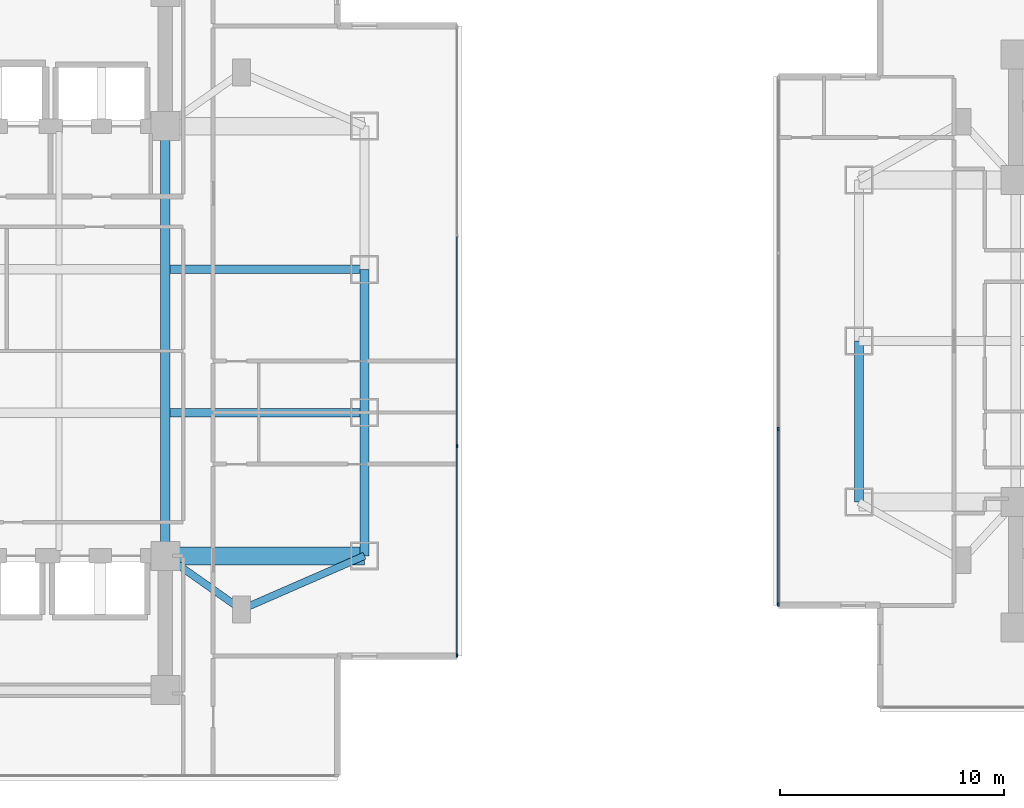
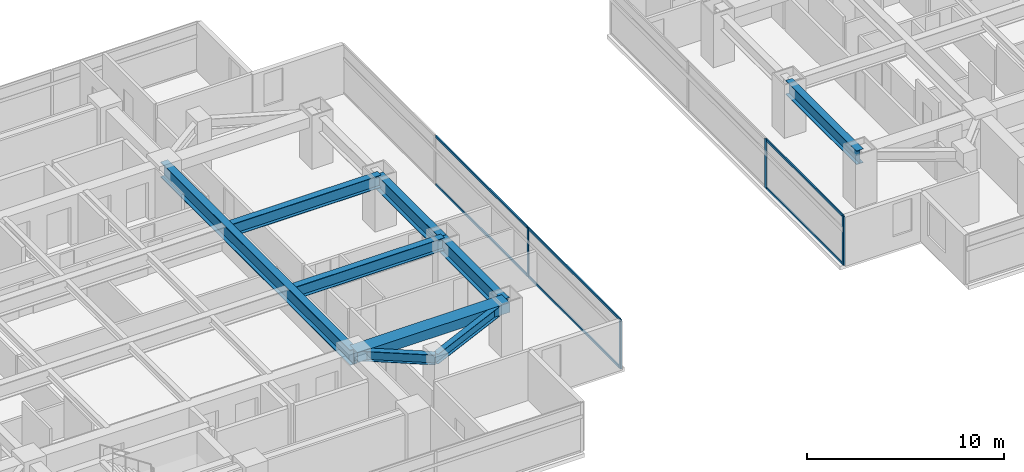
# One storey, part 5 of 27: 10 members, 9 beams, 2 elements without a shape of their own.
"""IFC4 building model written with IfcOpenShell, lengths in metres."""

from ifc_helpers import new_model, si_unit, direction, frame, origin, origin_2d, place, context, subcontext, project, spatial, rectangle, i_section, extrude, material, material_profile, profile_set, type_object, element, aggregate, save


model = new_model("IFC4")

# Units and contexts
model_context = context("Model", 3, precision=1e-05, world=origin(), true_north=direction((0.0, 1.0)))
body_context = subcontext(model_context, "Body", "Model", "MODEL_VIEW")
ifc_project = project(units=[si_unit("LENGTHUNIT", "METRE"), si_unit("AREAUNIT", "SQUARE_METRE"), si_unit("VOLUMEUNIT", "CUBIC_METRE"), si_unit("PLANEANGLEUNIT", "RADIAN"), si_unit("MASSUNIT", "GRAM", prefix="KILO")], contexts=[model_context])

# Site, building, storey
site_placement = place(None, origin())
site = spatial("IfcSite", under=ifc_project, at=site_placement, CompositionType="ELEMENT")
building_placement = place(site_placement, origin())
building = spatial("IfcBuilding", under=site, at=building_placement, Name="Mirazonda Arch Towers", CompositionType="ELEMENT")
storey_placement = place(building_placement, frame((0.0, 0.0, 75.199951171875)))
storey = spatial("IfcBuildingStorey", under=building, at=storey_placement, Name="L21", CompositionType="ELEMENT", Elevation=75.199951171875)

# Beams
ifc_material_1 = material(Name="Steel ASTM A992 Grade 50", Category="steel")
ifc_material_profile_1 = material_profile(ifc_material_1, i_section(OverallWidth=0.39990234375, OverallDepth=0.85595703125, WebThickness=0.018310546875, FlangeThickness=0.029296875, at=origin_2d()), Name="W33X201")
ifc_profile_set_1 = profile_set([ifc_material_profile_1], Name="Steel ASTM A992 Grade 50")
beam_type_1 = type_object("IfcBeamType", Name="BM-EXT-W33X201", PredefinedType="USERDEFINED", material=ifc_profile_set_1)
beam_1_placement = place(storey_placement, frame((61.0, 20.800048828125, 2.632080078125), z_axis=(0.0, 1.0, 0.0), x_axis=(-1.0, 0.0, 0.0)))
element("IfcBeam", 1, at=beam_1_placement, inside=storey, type_object=beam_type_1, Name="L21 Floor Beam BM-T2-L21-NS-W-20", ObjectType="GIRDER", PredefinedType="USERDEFINED", context=body_context, shape_type="SweptSolid", body=[
    extrude(i_section(OverallWidth=0.39990234375, OverallDepth=0.85595703125, WebThickness=0.018310546875, FlangeThickness=0.029296875, at=origin_2d()), origin(), (0.0, 0.0, 1.0), 7.199951171875),
])
ifc_material_profile_2 = material_profile(ifc_material_1, i_section(OverallWidth=0.41796875, OverallDepth=0.927001953125, WebThickness=0.019287109375, FlangeThickness=0.031982421875, at=origin_2d()), Name="W36X231")
ifc_profile_set_2 = profile_set([ifc_material_profile_2], Name="Steel ASTM A992 Grade 50")
beam_type_2 = type_object("IfcBeamType", Name="BM-EXT-W36X231", PredefinedType="USERDEFINED", material=ifc_profile_set_2)
beam_2_placement = place(storey_placement, frame((38.89990234375, 18.39990234375, 2.596435546875), z_axis=(0.0, 1.0, 0.0), x_axis=(-1.0, 0.0, 0.0)))
element("IfcBeam", 2, at=beam_2_placement, inside=storey, type_object=beam_type_2, Name="L21 Floor Beam BM-T1-L21-NS-E-18", ObjectType="GIRDER", PredefinedType="USERDEFINED", context=body_context, shape_type="SweptSolid", body=[
    extrude(i_section(OverallWidth=0.41796875, OverallDepth=0.927001953125, WebThickness=0.019287109375, FlangeThickness=0.031982421875, at=origin_2d()), origin(), (0.0, 0.0, 1.0), 6.400146484375),
])
beam_3_placement = place(storey_placement, frame((38.89990234375, 24.800048828125, 2.596435546875), z_axis=(0.0, 1.0, 0.0), x_axis=(-1.0, 0.0, 0.0)))
element("IfcBeam", 3, at=beam_3_placement, inside=storey, type_object=beam_type_2, Name="L21 Floor Beam BM-T1-L21-NS-E-24", ObjectType="GIRDER", PredefinedType="USERDEFINED", context=body_context, shape_type="SweptSolid", body=[
    extrude(i_section(OverallWidth=0.41796875, OverallDepth=0.927001953125, WebThickness=0.019287109375, FlangeThickness=0.031982421875, at=origin_2d()), origin(), (0.0, 0.0, 1.0), 6.39990234375),
])
ifc_material_profile_3 = material_profile(ifc_material_1, i_section(OverallWidth=0.324951171875, OverallDepth=0.615966796875, WebThickness=0.013916015625, FlangeThickness=0.021484375, at=origin_2d()), Name="W24X117")
ifc_profile_set_3 = profile_set([ifc_material_profile_3], Name="Steel ASTM A992 Grade 50")
beam_type_3 = type_object("IfcBeamType", Name="BM-INT-W24X117", PredefinedType="BEAM", material=ifc_profile_set_3)
beam_4_placement = place(storey_placement, frame((33.39990234375, 16.0, 2.751953125), z_axis=(-0.816971114901, 0.576678591087, 0.0), x_axis=(-0.576678591087, -0.816971114901, 0.0)))
element("IfcBeam", 4, at=beam_4_placement, inside=storey, type_object=beam_type_3, Name="L21 Floor Beam BM-T1-L21-PL-SE1", PredefinedType="BEAM", context=body_context, shape_type="SweptSolid", body=[
    extrude(i_section(OverallWidth=0.324951171875, OverallDepth=0.615966796875, WebThickness=0.013916015625, FlangeThickness=0.021484375, at=origin_2d()), origin(), (0.0, 0.0, 1.0), 4.16162109375),
])
beam_5_placement = place(storey_placement, frame((33.39990234375, 16.0, 2.751953125), z_axis=(0.916545343703, 0.399930785183, 0.0), x_axis=(-0.399930785183, 0.916545343703, 0.0)))
element("IfcBeam", 5, at=beam_5_placement, inside=storey, type_object=beam_type_3, Name="L21 Floor Beam BM-T1-L21-PL-SE2", PredefinedType="BEAM", context=body_context, shape_type="SweptSolid", body=[
    extrude(i_section(OverallWidth=0.324951171875, OverallDepth=0.615966796875, WebThickness=0.013916015625, FlangeThickness=0.021484375, at=origin_2d()), origin(), (0.0, 0.0, 1.0), 6.000732421875),
])
ifc_material_profile_4 = material_profile(ifc_material_1, i_section(OverallWidth=0.381103515625, OverallDepth=0.77294921875, WebThickness=0.0166015625, FlangeThickness=0.027099609375, at=origin_2d()), Name="W30X173")
ifc_profile_set_4 = profile_set([ifc_material_profile_4], Name="Steel ASTM A992 Grade 50")
beam_type_4 = type_object("IfcBeamType", Name="BM-INT-W30X173", PredefinedType="USERDEFINED", material=ifc_profile_set_4)
for number, where, z_axis, x_axis, name in (
    (6, (30.21142578125, 24.800048828125, 2.673583984375), (1.0, 0.0, 0.0), (0.0, 1.0, 0.0), "L21 Floor Beam BM-T1-L21-GE2"),
    (7, (30.21142578125, 31.199951171875, 2.673583984375), (1.0, 0.0, 0.0), (0.0, 1.0, 0.0), "L21 Floor Beam BM-T1-L21-GE3"),
):
    element("IfcBeam", number, at=place(storey_placement, frame(where, z_axis=z_axis, x_axis=x_axis)), inside=storey, type_object=beam_type_4, Name=name, ObjectType="GIRDER", PredefinedType="USERDEFINED", context=body_context, shape_type="SweptSolid", body=[
        extrude(i_section(OverallWidth=0.381103515625, OverallDepth=0.77294921875, WebThickness=0.0166015625, FlangeThickness=0.027099609375, at=origin_2d()), origin(), (0.0, 0.0, 1.0), 8.6884765625),
    ])
ifc_material_profile_5 = material_profile(ifc_material_1, i_section(OverallWidth=0.423095703125, OverallDepth=0.947998046875, WebThickness=0.02392578125, FlangeThickness=0.042724609375, at=origin_2d()), Name="W36X302")
ifc_profile_set_5 = profile_set([ifc_material_profile_5], Name="Steel ASTM A992 Grade 50")
beam_type_5 = type_object("IfcBeamType", Name="BM-INT-W36X302", PredefinedType="USERDEFINED", material=ifc_profile_set_5)
beam_6_placement = place(storey_placement, frame((30.0, 18.39990234375, 2.5859375), z_axis=(0.0, 1.0, 0.0), x_axis=(-1.0, 0.0, 0.0)))
element("IfcBeam", 8, at=beam_6_placement, inside=storey, type_object=beam_type_5, Name="L21 Floor Beam BM-T1-L21-NS-CE-FULL", ObjectType="GIRDER", PredefinedType="USERDEFINED", context=body_context, shape_type="SweptSolid", body=[
    extrude(i_section(OverallWidth=0.423095703125, OverallDepth=0.947998046875, WebThickness=0.02392578125, FlangeThickness=0.042724609375, at=origin_2d()), origin(), (0.0, 0.0, 1.0), 19.2001953125),
])
ifc_material_2 = material(Name="Concrete C60/75", Category="concrete")
ifc_material_profile_6 = material_profile(ifc_material_2, rectangle(XDim=0.800048828125, YDim=0.60009765625, at=origin_2d()), Name="RCCB800x600")
ifc_profile_set_6 = profile_set([ifc_material_profile_6], Name="Concrete C60/75")
beam_type_6 = type_object("IfcBeamType", Name="CB-INT-RCCB800x600", PredefinedType="SPANDREL", material=ifc_profile_set_6)
beam_7_placement = place(storey_placement, frame((30.0, 18.39990234375, 2.760009765625), z_axis=(1.0, 0.0, 0.0), x_axis=(0.0, 1.0, 0.0)))
element("IfcBeam", 9, at=beam_7_placement, inside=storey, type_object=beam_type_6, Name="L21 Floor Beam CBC-T1-L21-SE", PredefinedType="SPANDREL", context=body_context, shape_type="SweptSolid", body=[
    extrude(rectangle(XDim=0.800048828125, YDim=0.60009765625, at=origin_2d()), origin(), (0.0, 0.0, 1.0), 8.89990234375),
])

# Curtain wall, members
ifc_material_3 = material(Name="Anodised Aluminium and Low-E Glass", Category="aluminium")
curtain_wall_type = type_object("IfcCurtainWallType", Name="CW-HTL-UNIT", PredefinedType="NOTDEFINED", material=ifc_material_3)
curtain_wall_1_placement = place(storey_placement, origin())
curtain_wall_1 = element("IfcCurtainWall", 10, at=curtain_wall_1_placement, inside=storey, type_object=curtain_wall_type, Name="L21 T1 E Facade CW-L21-T1-E", PredefinedType="NOTDEFINED")
ifc_material_4 = material(Name="Anodised Aluminium Alloy", Category="aluminium")
ifc_material_profile_7 = material_profile(ifc_material_4, rectangle(XDim=0.074951171875, YDim=0.1650390625, at=origin_2d()), Name="ALU-MULL-75x165")
ifc_profile_set_7 = profile_set([ifc_material_profile_7], Name="Anodised Aluminium Alloy")
member_type_1 = type_object("IfcMemberType", Name="MULL-CW-HTL-UNIT", PredefinedType="MULLION", material=ifc_profile_set_7)
member_1_placement = place(storey_placement, frame((43.0400390625, 13.951416015625, 0.0), z_axis=(0.0, 0.0, 1.0), x_axis=(-1.0, 0.0, 0.0)))
member_1 = element("IfcMember", 11, at=member_1_placement, type_object=member_type_1, Name="CW-112 mullion 1", PredefinedType="MULLION", context=body_context, shape_type="SweptSolid", body=[
    extrude(rectangle(XDim=0.074951171875, YDim=0.1650390625, at=origin_2d()), origin(), (0.0, 0.0, 1.0), 3.0400390625),
])
member_2_placement = place(storey_placement, frame((43.0400390625, 23.3046875, 0.0), z_axis=(0.0, 0.0, 1.0), x_axis=(-1.0, 0.0, 0.0)))
member_2 = element("IfcMember", 12, at=member_2_placement, type_object=member_type_1, Name="CW-112 mullion 2", PredefinedType="MULLION", context=body_context, shape_type="SweptSolid", body=[
    extrude(rectangle(XDim=0.074951171875, YDim=0.1650390625, at=origin_2d()), origin(), (0.0, 0.0, 1.0), 3.0400390625),
])

curtain_wall_2_placement = place(storey_placement, origin())
curtain_wall_2 = element("IfcCurtainWall", 13, at=curtain_wall_2_placement, inside=storey, type_object=curtain_wall_type, Name="L21 T2 W Facade CW-L21-T2-W", PredefinedType="NOTDEFINED")
member_3_placement = place(storey_placement, frame((57.39404296875, 24.062255859375, 0.0), z_axis=(0.0, 0.0, 1.0), x_axis=(1.0, 0.0, 0.0)))
member_3 = element("IfcMember", 14, at=member_3_placement, type_object=member_type_1, Name="CW-112 mullion 3", PredefinedType="MULLION", context=body_context, shape_type="SweptSolid", body=[
    extrude(rectangle(XDim=0.074951171875, YDim=0.1650390625, at=origin_2d()), origin(), (0.0, 0.0, 1.0), 3.0400390625),
])
member_4_placement = place(storey_placement, frame((57.39404296875, 16.224365234375, 0.0), z_axis=(0.0, 0.0, 1.0), x_axis=(1.0, 0.0, 0.0)))
member_4 = element("IfcMember", 15, at=member_4_placement, type_object=member_type_1, Name="CW-112 mullion 4", PredefinedType="MULLION", context=body_context, shape_type="SweptSolid", body=[
    extrude(rectangle(XDim=0.074951171875, YDim=0.1650390625, at=origin_2d()), origin(), (0.0, 0.0, 1.0), 3.0400390625),
])

# Member
ifc_material_profile_8 = material_profile(ifc_material_4, rectangle(XDim=0.074951171875, YDim=0.14501953125, at=origin_2d()), Name="ALU-TRAN-75x145")
ifc_profile_set_8 = profile_set([ifc_material_profile_8], Name="Anodised Aluminium Alloy")
member_type_2 = type_object("IfcMemberType", Name="TRAN-CW-HTL-UNIT", PredefinedType="USERDEFINED", material=ifc_profile_set_8)
member_5_placement = place(storey_placement, frame((43.0400390625, 13.989013671875, 0.03759765625), z_axis=(0.0, 1.0, 0.0), x_axis=(-1.0, 0.0, 0.0)))
member_5 = element("IfcMember", 16, at=member_5_placement, type_object=member_type_2, Name="CW-112 transom 1.1", ObjectType="TRANSOM", PredefinedType="USERDEFINED", context=body_context, shape_type="SweptSolid", body=[
    extrude(rectangle(XDim=0.074951171875, YDim=0.14501953125, at=origin_2d()), origin(), (0.0, 0.0, 1.0), 9.278076171875),
])

member_6_placement = place(storey_placement, frame((43.0400390625, 13.989013671875, 3.00244140625), z_axis=(0.0, 1.0, 0.0), x_axis=(-1.0, 0.0, 0.0)))
member_6 = element("IfcMember", 17, at=member_6_placement, type_object=member_type_2, Name="CW-112 transom 1.2", ObjectType="TRANSOM", PredefinedType="USERDEFINED", context=body_context, shape_type="SweptSolid", body=[
    extrude(rectangle(XDim=0.074951171875, YDim=0.14501953125, at=origin_2d()), origin(), (0.0, 0.0, 1.0), 9.278076171875),
])

member_7_placement = place(storey_placement, frame((43.0400390625, 23.34228515625, 0.03759765625), z_axis=(0.0, 1.0, 0.0), x_axis=(-1.0, 0.0, 0.0)))
member_7 = element("IfcMember", 18, at=member_7_placement, type_object=member_type_2, Name="CW-112 transom 2.1", ObjectType="TRANSOM", PredefinedType="USERDEFINED", context=body_context, shape_type="SweptSolid", body=[
    extrude(rectangle(XDim=0.074951171875, YDim=0.14501953125, at=origin_2d()), origin(), (0.0, 0.0, 1.0), 9.3154296875),
])

member_8_placement = place(storey_placement, frame((43.0400390625, 23.34228515625, 3.00244140625), z_axis=(0.0, 1.0, 0.0), x_axis=(-1.0, 0.0, 0.0)))
member_8 = element("IfcMember", 19, at=member_8_placement, type_object=member_type_2, Name="CW-112 transom 2.2", ObjectType="TRANSOM", PredefinedType="USERDEFINED", context=body_context, shape_type="SweptSolid", body=[
    extrude(rectangle(XDim=0.074951171875, YDim=0.14501953125, at=origin_2d()), origin(), (0.0, 0.0, 1.0), 9.3154296875),
])

aggregate(curtain_wall_1, [member_1, member_2, member_5, member_6, member_7, member_8])

member_9_placement = place(storey_placement, frame((57.39404296875, 24.02490234375, 0.03759765625), z_axis=(0.0, -1.0, 0.0), x_axis=(1.0, 0.0, 0.0)))
member_9 = element("IfcMember", 20, at=member_9_placement, type_object=member_type_2, Name="CW-112 transom 3.1", ObjectType="TRANSOM", PredefinedType="USERDEFINED", context=body_context, shape_type="SweptSolid", body=[
    extrude(rectangle(XDim=0.074951171875, YDim=0.14501953125, at=origin_2d()), origin(), (0.0, 0.0, 1.0), 7.762939453125),
])

member_10_placement = place(storey_placement, frame((57.39404296875, 24.02490234375, 3.00244140625), z_axis=(0.0, -1.0, 0.0), x_axis=(1.0, 0.0, 0.0)))
member_10 = element("IfcMember", 21, at=member_10_placement, type_object=member_type_2, Name="CW-112 transom 3.2", ObjectType="TRANSOM", PredefinedType="USERDEFINED", context=body_context, shape_type="SweptSolid", body=[
    extrude(rectangle(XDim=0.074951171875, YDim=0.14501953125, at=origin_2d()), origin(), (0.0, 0.0, 1.0), 7.762939453125),
])

aggregate(curtain_wall_2, [member_3, member_4, member_9, member_10])

save(model, "model.ifc")
